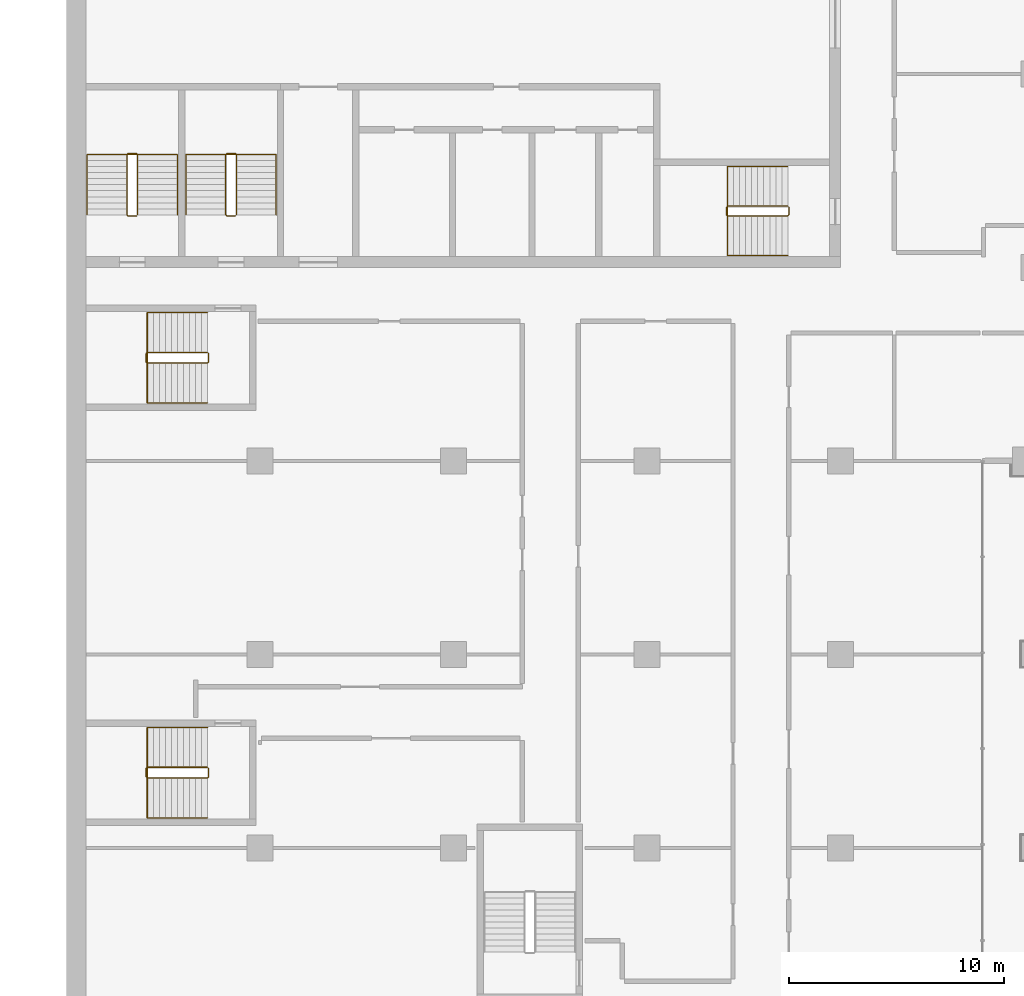
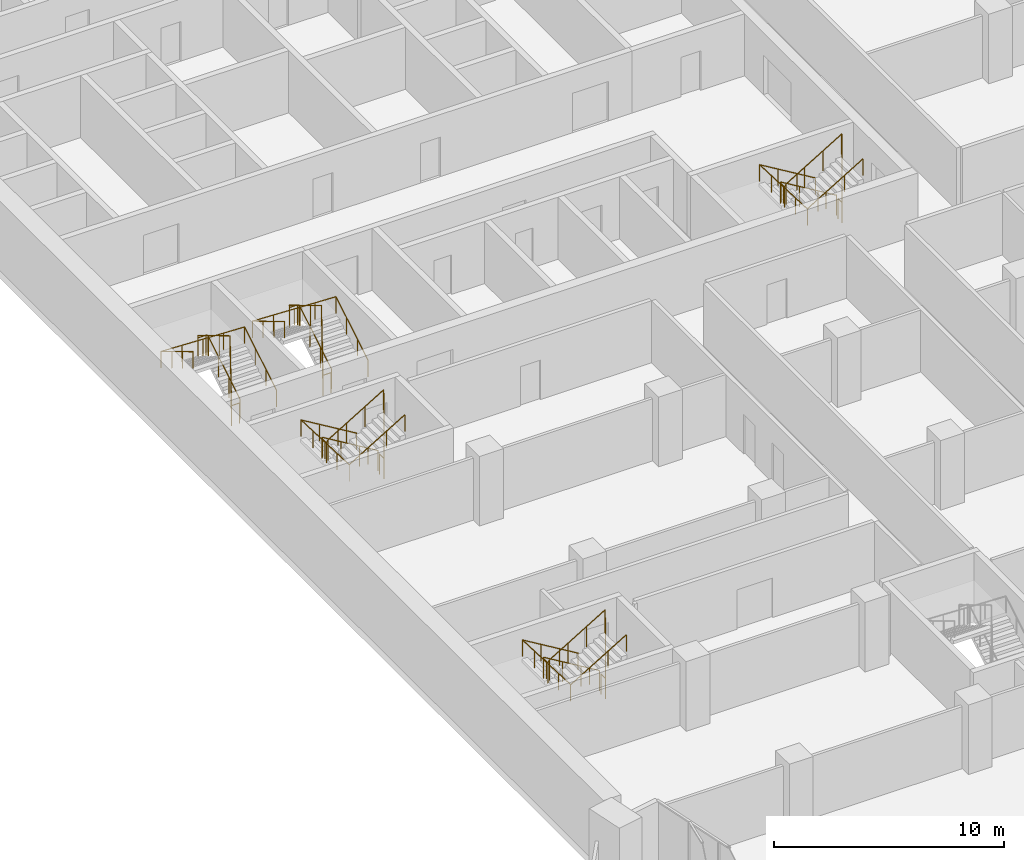
# One storey, part 21 of 23: 10 railings.
"""IFC4 building model written with IfcOpenShell, lengths in metres."""

from ifc_helpers import new_model, si_unit, direction, frame, origin, origin_2d, place, context, subcontext, project, spatial, circle, extrude, material, type_object, element, save


model = new_model("IFC4")

# Units and contexts
model_context = context("Model", 3, precision=1e-05, world=origin(), true_north=direction((0.0, 1.0)))
body_context = subcontext(model_context, "Body", "Model", "MODEL_VIEW")
ifc_project = project(units=[si_unit("LENGTHUNIT", "METRE"), si_unit("AREAUNIT", "SQUARE_METRE"), si_unit("VOLUMEUNIT", "CUBIC_METRE"), si_unit("PLANEANGLEUNIT", "RADIAN"), si_unit("MASSUNIT", "GRAM", prefix="KILO")], contexts=[model_context])

# Site, building, storey
site_placement = place(None, origin())
site = spatial("IfcSite", under=ifc_project, at=site_placement, CompositionType="ELEMENT")
building_placement = place(site_placement, origin())
building = spatial("IfcBuilding", under=site, at=building_placement, Name="Hunhe Ridgeline Campus", CompositionType="ELEMENT")
storey_placement = place(building_placement, frame((0.0, 0.0, 167.10009765625)))
storey = spatial("IfcBuildingStorey", under=building, at=storey_placement, Name="L42", CompositionType="ELEMENT", Elevation=167.10009765625)

# Railings
ifc_material_1 = material(Name="Stainless steel balustrade", Category="steel")
railing_type_1 = type_object("IfcRailingType", Name="Stair guard 1100 stainless", PredefinedType="GUARDRAIL", material=ifc_material_1)
railing_1_placement = place(storey_placement, frame((33.550048828125, 65.85009765625, 0.16796875)))
element("IfcRailing", 1, at=railing_1_placement, inside=storey, type_object=railing_type_1, Name="L42 stair S2 guard", PredefinedType="GUARDRAIL", context=body_context, shape_type="SweptSolid", body=[
    extrude(circle(Radius=0.02392578125, at=origin_2d()), frame((0.0, 0.0, 1.076171875), z_axis=(-0.857242210791, 0.0, 0.514913383045), x_axis=(0.0, -1.0, 0.0)), (0.0, 0.0, 1.0), 3.266357421875),
    extrude(circle(Radius=0.02392578125, at=origin_2d()), frame((-2.800048828125, 0.0, 2.7578125), z_axis=(-0.707106781187, -0.707106781187, 0.0), x_axis=(0.707106781187, -0.707106781187, 0.0)), (0.0, 0.0, 1.0), 0.07080078125),
    extrude(circle(Radius=0.02392578125, at=origin_2d()), frame((-2.85009765625, -0.050048828125, 2.7578125), z_axis=(0.0, -1.0, 0.0), x_axis=(1.0, 0.0, 0.0)), (0.0, 0.0, 1.0), 0.35009765625),
    extrude(circle(Radius=0.02392578125, at=origin_2d()), frame((-2.85009765625, -0.400146484375, 2.7578125), z_axis=(0.274243871929, -0.274243871929, 0.92172696468), x_axis=(0.707106781187, 0.707106781187, 0.0)), (0.0, 0.0, 1.0), 0.1826171875),
    extrude(circle(Radius=0.02392578125, at=origin_2d()), frame((-2.800048828125, -0.4501953125, 2.92626953125), z_axis=(0.857242210791, 0.0, 0.514913383045), x_axis=(0.0, 1.0, 0.0)), (0.0, 0.0, 1.0), 3.266357421875),
    extrude(circle(Radius=0.02392578125, at=origin_2d()), frame((0.0, -0.4501953125, 4.60791015625), z_axis=(0.013524414389, 0.013524414389, -0.999817073484), x_axis=(-0.707106781187, 0.707106781187, 0.0)), (0.0, 0.0, 1.0), 3.70068359375),
    extrude(circle(Radius=0.02392578125, at=origin_2d()), frame((0.050048828125, -0.400146484375, 0.908203125), z_axis=(0.0, 1.0, 0.0), x_axis=(-1.0, 0.0, 0.0)), (0.0, 0.0, 1.0), 0.35009765625),
    extrude(circle(Radius=0.02099609375, at=origin_2d()), origin(), (0.0, 0.0, 1.0), 1.052001953125),
    extrude(circle(Radius=0.02099609375, at=origin_2d()), frame((-0.933349609375, 0.0, 0.560546875)), (0.0, 0.0, 1.0), 1.052001953125),
    extrude(circle(Radius=0.02099609375, at=origin_2d()), frame((-1.86669921875, 0.0, 1.121337890625)), (0.0, 0.0, 1.0), 1.052001953125),
    extrude(circle(Radius=0.02099609375, at=origin_2d()), frame((-2.800048828125, 0.0, 1.681884765625)), (0.0, 0.0, 1.0), 1.052001953125),
    extrude(circle(Radius=0.02099609375, at=origin_2d()), frame((-2.85009765625, -0.050048828125, 1.681884765625)), (0.0, 0.0, 1.0), 1.052001953125),
    extrude(circle(Radius=0.02099609375, at=origin_2d()), frame((-2.85009765625, -0.400146484375, 1.681884765625)), (0.0, 0.0, 1.0), 1.052001953125),
    extrude(circle(Radius=0.02099609375, at=origin_2d()), frame((-2.800048828125, -0.4501953125, 1.85009765625)), (0.0, 0.0, 1.0), 1.052001953125),
    extrude(circle(Radius=0.02099609375, at=origin_2d()), frame((-1.86669921875, -0.4501953125, 2.41064453125)), (0.0, 0.0, 1.0), 1.052001953125),
    extrude(circle(Radius=0.02099609375, at=origin_2d()), frame((-0.933349609375, -0.4501953125, 2.971435546875)), (0.0, 0.0, 1.0), 1.052001953125),
    extrude(circle(Radius=0.02099609375, at=origin_2d()), frame((0.0, -0.4501953125, 3.531982421875)), (0.0, 0.0, 1.0), 1.052001953125),
    extrude(circle(Radius=0.02099609375, at=origin_2d()), frame((0.012451171875, -0.437744140625, 2.60693359375)), (0.0, 0.0, 1.0), 1.052001953125),
    extrude(circle(Radius=0.02099609375, at=origin_2d()), frame((0.02490234375, -0.42529296875, 1.68212890625)), (0.0, 0.0, 1.0), 1.052001953125),
    extrude(circle(Radius=0.02099609375, at=origin_2d()), frame((0.03759765625, -0.41259765625, 0.757080078125)), (0.0, 0.0, 1.0), 1.052001953125),
    extrude(circle(Radius=0.02099609375, at=origin_2d()), frame((0.050048828125, -0.400146484375, -0.16796875)), (0.0, 0.0, 1.0), 1.052001953125),
    extrude(circle(Radius=0.02099609375, at=origin_2d()), frame((0.050048828125, -0.050048828125, -0.16796875)), (0.0, 0.0, 1.0), 1.052001953125),
])
railing_2_placement = place(storey_placement, frame((3.300048828125, 65.449951171875, 0.16796875)))
element("IfcRailing", 2, at=railing_2_placement, inside=storey, type_object=railing_type_1, Name="L42 stair S3 guard", PredefinedType="GUARDRAIL", context=body_context, shape_type="SweptSolid", body=[
    extrude(circle(Radius=0.02392578125, at=origin_2d()), frame((0.0, 0.0, 1.076171875), z_axis=(0.0, 0.857242210791, 0.514913383045), x_axis=(-1.0, 0.0, 0.0)), (0.0, 0.0, 1.0), 3.266357421875),
    extrude(circle(Radius=0.02392578125, at=origin_2d()), frame((0.0, 2.800048828125, 2.7578125), z_axis=(-0.707106781187, 0.707106781187, 0.0), x_axis=(-0.707106781187, -0.707106781187, 0.0)), (0.0, 0.0, 1.0), 0.07080078125),
    extrude(circle(Radius=0.02392578125, at=origin_2d()), frame((-0.050048828125, 2.85009765625, 2.7578125), z_axis=(-1.0, 0.0, 0.0), x_axis=(0.0, -1.0, 0.0)), (0.0, 0.0, 1.0), 0.39990234375),
    extrude(circle(Radius=0.02392578125, at=origin_2d()), frame((-0.449951171875, 2.85009765625, 2.7578125), z_axis=(-0.274243871929, -0.274243871929, 0.92172696468), x_axis=(0.707106781187, -0.707106781187, 0.0)), (0.0, 0.0, 1.0), 0.1826171875),
    extrude(circle(Radius=0.02392578125, at=origin_2d()), frame((-0.5, 2.800048828125, 2.92626953125), z_axis=(0.0, -0.857242210791, 0.514913383045), x_axis=(1.0, 0.0, 0.0)), (0.0, 0.0, 1.0), 3.266357421875),
    extrude(circle(Radius=0.02392578125, at=origin_2d()), frame((-0.5, 0.0, 4.60791015625), z_axis=(0.013524414389, -0.013524414389, -0.999817073484), x_axis=(0.707106781187, 0.707106781187, 0.0)), (0.0, 0.0, 1.0), 3.70068359375),
    extrude(circle(Radius=0.02392578125, at=origin_2d()), frame((-0.449951171875, -0.050048828125, 0.908203125), z_axis=(1.0, 0.0, 0.0), x_axis=(0.0, 1.0, 0.0)), (0.0, 0.0, 1.0), 0.39990234375),
    extrude(circle(Radius=0.02099609375, at=origin_2d()), origin(), (0.0, 0.0, 1.0), 1.052001953125),
    extrude(circle(Radius=0.02099609375, at=origin_2d()), frame((0.0, 0.933349609375, 0.560546875)), (0.0, 0.0, 1.0), 1.052001953125),
    extrude(circle(Radius=0.02099609375, at=origin_2d()), frame((0.0, 1.86669921875, 1.121337890625)), (0.0, 0.0, 1.0), 1.052001953125),
    extrude(circle(Radius=0.02099609375, at=origin_2d()), frame((0.0, 2.800048828125, 1.681884765625)), (0.0, 0.0, 1.0), 1.052001953125),
    extrude(circle(Radius=0.02099609375, at=origin_2d()), frame((-0.050048828125, 2.85009765625, 1.681884765625)), (0.0, 0.0, 1.0), 1.052001953125),
    extrude(circle(Radius=0.02099609375, at=origin_2d()), frame((-0.449951171875, 2.85009765625, 1.681884765625)), (0.0, 0.0, 1.0), 1.052001953125),
    extrude(circle(Radius=0.02099609375, at=origin_2d()), frame((-0.5, 2.800048828125, 1.85009765625)), (0.0, 0.0, 1.0), 1.052001953125),
    extrude(circle(Radius=0.02099609375, at=origin_2d()), frame((-0.5, 1.86669921875, 2.41064453125)), (0.0, 0.0, 1.0), 1.052001953125),
    extrude(circle(Radius=0.02099609375, at=origin_2d()), frame((-0.5, 0.933349609375, 2.971435546875)), (0.0, 0.0, 1.0), 1.052001953125),
    extrude(circle(Radius=0.02099609375, at=origin_2d()), frame((-0.5, 0.0, 3.531982421875)), (0.0, 0.0, 1.0), 1.052001953125),
    extrude(circle(Radius=0.02099609375, at=origin_2d()), frame((-0.487548828125, -0.012451171875, 2.60693359375)), (0.0, 0.0, 1.0), 1.052001953125),
    extrude(circle(Radius=0.02099609375, at=origin_2d()), frame((-0.47509765625, -0.02490234375, 1.68212890625)), (0.0, 0.0, 1.0), 1.052001953125),
    extrude(circle(Radius=0.02099609375, at=origin_2d()), frame((-0.46240234375, -0.03759765625, 0.757080078125)), (0.0, 0.0, 1.0), 1.052001953125),
    extrude(circle(Radius=0.02099609375, at=origin_2d()), frame((-0.449951171875, -0.050048828125, -0.16796875)), (0.0, 0.0, 1.0), 1.052001953125),
    extrude(circle(Radius=0.02099609375, at=origin_2d()), frame((-0.050048828125, -0.050048828125, -0.16796875)), (0.0, 0.0, 1.0), 1.052001953125),
])
railing_3_placement = place(storey_placement, frame((7.89990234375, 65.449951171875, 0.16796875)))
element("IfcRailing", 3, at=railing_3_placement, inside=storey, type_object=railing_type_1, Name="L42 stair S4 guard", PredefinedType="GUARDRAIL", context=body_context, shape_type="SweptSolid", body=[
    extrude(circle(Radius=0.02392578125, at=origin_2d()), frame((0.0, 0.0, 1.076171875), z_axis=(0.0, 0.857242210791, 0.514913383045), x_axis=(-1.0, 0.0, 0.0)), (0.0, 0.0, 1.0), 3.266357421875),
    extrude(circle(Radius=0.02392578125, at=origin_2d()), frame((0.0, 2.800048828125, 2.7578125), z_axis=(-0.705375805398, 0.708833529934, 0.0), x_axis=(-0.708833529934, -0.705375805398, 0.0)), (0.0, 0.0, 1.0), 0.070556640625),
    extrude(circle(Radius=0.02392578125, at=origin_2d()), frame((-0.0498046875, 2.85009765625, 2.7578125), z_axis=(-1.0, 0.0, 0.0), x_axis=(0.0, -1.0, 0.0)), (0.0, 0.0, 1.0), 0.400146484375),
    extrude(circle(Radius=0.02392578125, at=origin_2d()), frame((-0.449951171875, 2.85009765625, 2.7578125), z_axis=(-0.274243871929, -0.274243871929, 0.92172696468), x_axis=(0.707106781187, -0.707106781187, 0.0)), (0.0, 0.0, 1.0), 0.1826171875),
    extrude(circle(Radius=0.02392578125, at=origin_2d()), frame((-0.5, 2.800048828125, 2.92626953125), z_axis=(0.0, -0.857242210791, 0.514913383045), x_axis=(1.0, 0.0, 0.0)), (0.0, 0.0, 1.0), 3.266357421875),
    extrude(circle(Radius=0.02392578125, at=origin_2d()), frame((-0.5, 0.0, 4.60791015625), z_axis=(0.013524414389, -0.013524414389, -0.999817073484), x_axis=(0.707106781187, 0.707106781187, 0.0)), (0.0, 0.0, 1.0), 3.70068359375),
    extrude(circle(Radius=0.02392578125, at=origin_2d()), frame((-0.449951171875, -0.050048828125, 0.908203125), z_axis=(1.0, 0.0, 0.0), x_axis=(0.0, 1.0, 0.0)), (0.0, 0.0, 1.0), 0.400146484375),
    extrude(circle(Radius=0.02099609375, at=origin_2d()), origin(), (0.0, 0.0, 1.0), 1.052001953125),
    extrude(circle(Radius=0.02099609375, at=origin_2d()), frame((0.0, 0.933349609375, 0.560546875)), (0.0, 0.0, 1.0), 1.052001953125),
    extrude(circle(Radius=0.02099609375, at=origin_2d()), frame((0.0, 1.86669921875, 1.121337890625)), (0.0, 0.0, 1.0), 1.052001953125),
    extrude(circle(Radius=0.02099609375, at=origin_2d()), frame((0.0, 2.800048828125, 1.681884765625)), (0.0, 0.0, 1.0), 1.052001953125),
    extrude(circle(Radius=0.02099609375, at=origin_2d()), frame((-0.0498046875, 2.85009765625, 1.681884765625)), (0.0, 0.0, 1.0), 1.052001953125),
    extrude(circle(Radius=0.02099609375, at=origin_2d()), frame((-0.449951171875, 2.85009765625, 1.681884765625)), (0.0, 0.0, 1.0), 1.052001953125),
    extrude(circle(Radius=0.02099609375, at=origin_2d()), frame((-0.5, 2.800048828125, 1.85009765625)), (0.0, 0.0, 1.0), 1.052001953125),
    extrude(circle(Radius=0.02099609375, at=origin_2d()), frame((-0.5, 1.86669921875, 2.41064453125)), (0.0, 0.0, 1.0), 1.052001953125),
    extrude(circle(Radius=0.02099609375, at=origin_2d()), frame((-0.5, 0.933349609375, 2.971435546875)), (0.0, 0.0, 1.0), 1.052001953125),
    extrude(circle(Radius=0.02099609375, at=origin_2d()), frame((-0.5, 0.0, 3.531982421875)), (0.0, 0.0, 1.0), 1.052001953125),
    extrude(circle(Radius=0.02099609375, at=origin_2d()), frame((-0.487548828125, -0.012451171875, 2.60693359375)), (0.0, 0.0, 1.0), 1.052001953125),
    extrude(circle(Radius=0.02099609375, at=origin_2d()), frame((-0.47509765625, -0.02490234375, 1.68212890625)), (0.0, 0.0, 1.0), 1.052001953125),
    extrude(circle(Radius=0.02099609375, at=origin_2d()), frame((-0.46240234375, -0.03759765625, 0.757080078125)), (0.0, 0.0, 1.0), 1.052001953125),
    extrude(circle(Radius=0.02099609375, at=origin_2d()), frame((-0.449951171875, -0.050048828125, -0.16796875)), (0.0, 0.0, 1.0), 1.052001953125),
    extrude(circle(Radius=0.02099609375, at=origin_2d()), frame((-0.0498046875, -0.050048828125, -0.16796875)), (0.0, 0.0, 1.0), 1.052001953125),
])
railing_4_placement = place(storey_placement, frame((6.550048828125, 39.75, 0.16796875)))
element("IfcRailing", 4, at=railing_4_placement, inside=storey, type_object=railing_type_1, Name="L42 stair W1 guard", PredefinedType="GUARDRAIL", context=body_context, shape_type="SweptSolid", body=[
    extrude(circle(Radius=0.02392578125, at=origin_2d()), frame((0.0, 0.0, 1.076171875), z_axis=(-0.857242210791, 0.0, 0.514913383045), x_axis=(0.0, -1.0, 0.0)), (0.0, 0.0, 1.0), 3.266357421875),
    extrude(circle(Radius=0.02392578125, at=origin_2d()), frame((-2.800048828125, 0.0, 2.7578125), z_axis=(-0.707106781187, -0.707106781187, 0.0), x_axis=(0.707106781187, -0.707106781187, 0.0)), (0.0, 0.0, 1.0), 0.07080078125),
    extrude(circle(Radius=0.02392578125, at=origin_2d()), frame((-2.85009765625, -0.050048828125, 2.7578125), z_axis=(0.0, -1.0, 0.0), x_axis=(1.0, 0.0, 0.0)), (0.0, 0.0, 1.0), 0.39990234375),
    extrude(circle(Radius=0.02392578125, at=origin_2d()), frame((-2.85009765625, -0.449951171875, 2.7578125), z_axis=(0.274243871929, -0.274243871929, 0.92172696468), x_axis=(0.707106781187, 0.707106781187, 0.0)), (0.0, 0.0, 1.0), 0.1826171875),
    extrude(circle(Radius=0.02392578125, at=origin_2d()), frame((-2.800048828125, -0.5, 2.92626953125), z_axis=(0.857242210791, 0.0, 0.514913383045), x_axis=(0.0, 1.0, 0.0)), (0.0, 0.0, 1.0), 3.266357421875),
    extrude(circle(Radius=0.02392578125, at=origin_2d()), frame((0.0, -0.5, 4.60791015625), z_axis=(0.013524414389, 0.013524414389, -0.999817073484), x_axis=(-0.707106781187, 0.707106781187, 0.0)), (0.0, 0.0, 1.0), 3.70068359375),
    extrude(circle(Radius=0.02392578125, at=origin_2d()), frame((0.050048828125, -0.449951171875, 0.908203125), z_axis=(0.0, 1.0, 0.0), x_axis=(-1.0, 0.0, 0.0)), (0.0, 0.0, 1.0), 0.39990234375),
    extrude(circle(Radius=0.02099609375, at=origin_2d()), origin(), (0.0, 0.0, 1.0), 1.052001953125),
    extrude(circle(Radius=0.02099609375, at=origin_2d()), frame((-0.933349609375, 0.0, 0.560546875)), (0.0, 0.0, 1.0), 1.052001953125),
    extrude(circle(Radius=0.02099609375, at=origin_2d()), frame((-1.86669921875, 0.0, 1.121337890625)), (0.0, 0.0, 1.0), 1.052001953125),
    extrude(circle(Radius=0.02099609375, at=origin_2d()), frame((-2.800048828125, 0.0, 1.681884765625)), (0.0, 0.0, 1.0), 1.052001953125),
    extrude(circle(Radius=0.02099609375, at=origin_2d()), frame((-2.85009765625, -0.050048828125, 1.681884765625)), (0.0, 0.0, 1.0), 1.052001953125),
    extrude(circle(Radius=0.02099609375, at=origin_2d()), frame((-2.85009765625, -0.449951171875, 1.681884765625)), (0.0, 0.0, 1.0), 1.052001953125),
    extrude(circle(Radius=0.02099609375, at=origin_2d()), frame((-2.800048828125, -0.5, 1.85009765625)), (0.0, 0.0, 1.0), 1.052001953125),
    extrude(circle(Radius=0.02099609375, at=origin_2d()), frame((-1.86669921875, -0.5, 2.41064453125)), (0.0, 0.0, 1.0), 1.052001953125),
    extrude(circle(Radius=0.02099609375, at=origin_2d()), frame((-0.933349609375, -0.5, 2.971435546875)), (0.0, 0.0, 1.0), 1.052001953125),
    extrude(circle(Radius=0.02099609375, at=origin_2d()), frame((0.0, -0.5, 3.531982421875)), (0.0, 0.0, 1.0), 1.052001953125),
    extrude(circle(Radius=0.02099609375, at=origin_2d()), frame((0.012451171875, -0.487548828125, 2.60693359375)), (0.0, 0.0, 1.0), 1.052001953125),
    extrude(circle(Radius=0.02099609375, at=origin_2d()), frame((0.02490234375, -0.47509765625, 1.68212890625)), (0.0, 0.0, 1.0), 1.052001953125),
    extrude(circle(Radius=0.02099609375, at=origin_2d()), frame((0.03759765625, -0.46240234375, 0.757080078125)), (0.0, 0.0, 1.0), 1.052001953125),
    extrude(circle(Radius=0.02099609375, at=origin_2d()), frame((0.050048828125, -0.449951171875, -0.16796875)), (0.0, 0.0, 1.0), 1.052001953125),
    extrude(circle(Radius=0.02099609375, at=origin_2d()), frame((0.050048828125, -0.050048828125, -0.16796875)), (0.0, 0.0, 1.0), 1.052001953125),
])
railing_5_placement = place(storey_placement, frame((6.550048828125, 59.050048828125, 0.16796875)))
element("IfcRailing", 5, at=railing_5_placement, inside=storey, type_object=railing_type_1, Name="L42 stair W2 guard", PredefinedType="GUARDRAIL", context=body_context, shape_type="SweptSolid", body=[
    extrude(circle(Radius=0.02392578125, at=origin_2d()), frame((0.0, 0.0, 1.076171875), z_axis=(-0.857242210791, 0.0, 0.514913383045), x_axis=(0.0, -1.0, 0.0)), (0.0, 0.0, 1.0), 3.266357421875),
    extrude(circle(Radius=0.02392578125, at=origin_2d()), frame((-2.800048828125, 0.0, 2.7578125), z_axis=(-0.707106781187, -0.707106781187, 0.0), x_axis=(0.707106781187, -0.707106781187, 0.0)), (0.0, 0.0, 1.0), 0.07080078125),
    extrude(circle(Radius=0.02392578125, at=origin_2d()), frame((-2.85009765625, -0.050048828125, 2.7578125), z_axis=(0.0, -1.0, 0.0), x_axis=(1.0, 0.0, 0.0)), (0.0, 0.0, 1.0), 0.39990234375),
    extrude(circle(Radius=0.02392578125, at=origin_2d()), frame((-2.85009765625, -0.449951171875, 2.7578125), z_axis=(0.274243871929, -0.274243871929, 0.92172696468), x_axis=(0.707106781187, 0.707106781187, 0.0)), (0.0, 0.0, 1.0), 0.1826171875),
    extrude(circle(Radius=0.02392578125, at=origin_2d()), frame((-2.800048828125, -0.5, 2.92626953125), z_axis=(0.857242210791, 0.0, 0.514913383045), x_axis=(0.0, 1.0, 0.0)), (0.0, 0.0, 1.0), 3.266357421875),
    extrude(circle(Radius=0.02392578125, at=origin_2d()), frame((0.0, -0.5, 4.60791015625), z_axis=(0.013524414389, 0.013524414389, -0.999817073484), x_axis=(-0.707106781187, 0.707106781187, 0.0)), (0.0, 0.0, 1.0), 3.70068359375),
    extrude(circle(Radius=0.02392578125, at=origin_2d()), frame((0.050048828125, -0.449951171875, 0.908203125), z_axis=(0.0, 1.0, 0.0), x_axis=(-1.0, 0.0, 0.0)), (0.0, 0.0, 1.0), 0.39990234375),
    extrude(circle(Radius=0.02099609375, at=origin_2d()), origin(), (0.0, 0.0, 1.0), 1.052001953125),
    extrude(circle(Radius=0.02099609375, at=origin_2d()), frame((-0.933349609375, 0.0, 0.560546875)), (0.0, 0.0, 1.0), 1.052001953125),
    extrude(circle(Radius=0.02099609375, at=origin_2d()), frame((-1.86669921875, 0.0, 1.121337890625)), (0.0, 0.0, 1.0), 1.052001953125),
    extrude(circle(Radius=0.02099609375, at=origin_2d()), frame((-2.800048828125, 0.0, 1.681884765625)), (0.0, 0.0, 1.0), 1.052001953125),
    extrude(circle(Radius=0.02099609375, at=origin_2d()), frame((-2.85009765625, -0.050048828125, 1.681884765625)), (0.0, 0.0, 1.0), 1.052001953125),
    extrude(circle(Radius=0.02099609375, at=origin_2d()), frame((-2.85009765625, -0.449951171875, 1.681884765625)), (0.0, 0.0, 1.0), 1.052001953125),
    extrude(circle(Radius=0.02099609375, at=origin_2d()), frame((-2.800048828125, -0.5, 1.85009765625)), (0.0, 0.0, 1.0), 1.052001953125),
    extrude(circle(Radius=0.02099609375, at=origin_2d()), frame((-1.86669921875, -0.5, 2.41064453125)), (0.0, 0.0, 1.0), 1.052001953125),
    extrude(circle(Radius=0.02099609375, at=origin_2d()), frame((-0.933349609375, -0.5, 2.971435546875)), (0.0, 0.0, 1.0), 1.052001953125),
    extrude(circle(Radius=0.02099609375, at=origin_2d()), frame((0.0, -0.5, 3.531982421875)), (0.0, 0.0, 1.0), 1.052001953125),
    extrude(circle(Radius=0.02099609375, at=origin_2d()), frame((0.012451171875, -0.487548828125, 2.60693359375)), (0.0, 0.0, 1.0), 1.052001953125),
    extrude(circle(Radius=0.02099609375, at=origin_2d()), frame((0.02490234375, -0.47509765625, 1.68212890625)), (0.0, 0.0, 1.0), 1.052001953125),
    extrude(circle(Radius=0.02099609375, at=origin_2d()), frame((0.03759765625, -0.46240234375, 0.757080078125)), (0.0, 0.0, 1.0), 1.052001953125),
    extrude(circle(Radius=0.02099609375, at=origin_2d()), frame((0.050048828125, -0.449951171875, -0.16796875)), (0.0, 0.0, 1.0), 1.052001953125),
    extrude(circle(Radius=0.02099609375, at=origin_2d()), frame((0.050048828125, -0.050048828125, -0.16796875)), (0.0, 0.0, 1.0), 1.052001953125),
])
ifc_material_2 = material(Name="Stainless steel handrail", Category="steel")
railing_type_2 = type_object("IfcRailingType", Name="Stair handrail 900 stainless", PredefinedType="HANDRAIL", material=ifc_material_2)
railing_6_placement = place(storey_placement, frame((33.550048828125, 67.699951171875, 0.16796875)))
element("IfcRailing", 6, at=railing_6_placement, inside=storey, type_object=railing_type_2, Name="L42 stair S2 handrail", PredefinedType="HANDRAIL", context=body_context, shape_type="SweptSolid", body=[
    extrude(circle(Radius=0.02392578125, at=origin_2d()), frame((0.0, 0.0, 0.8759765625), z_axis=(-0.857242210791, 0.0, 0.514913383045), x_axis=(0.0, -1.0, 0.0)), (0.0, 0.0, 1.0), 3.266357421875),
    extrude(circle(Radius=0.02392578125, at=origin_2d()), frame((-2.800048828125, 0.0, 2.5576171875), z_axis=(0.0, -0.99917950104, 0.040500922239), x_axis=(1.0, 0.0, 0.0)), (0.0, 0.0, 1.0), 4.1533203125),
    extrude(circle(Radius=0.02392578125, at=origin_2d()), frame((-2.800048828125, -4.14990234375, 2.72607421875), z_axis=(0.857242210791, 0.0, 0.514913383045), x_axis=(0.0, 1.0, 0.0)), (0.0, 0.0, 1.0), 3.266357421875),
    extrude(circle(Radius=0.02099609375, at=origin_2d()), origin(), (0.0, 0.0, 1.0), 0.851806640625),
    extrude(circle(Radius=0.02099609375, at=origin_2d()), frame((-0.933349609375, 0.0, 0.560546875)), (0.0, 0.0, 1.0), 0.851806640625),
    extrude(circle(Radius=0.02099609375, at=origin_2d()), frame((-1.86669921875, 0.0, 1.121337890625)), (0.0, 0.0, 1.0), 0.851806640625),
    extrude(circle(Radius=0.02099609375, at=origin_2d()), frame((-2.800048828125, 0.0, 1.681884765625)), (0.0, 0.0, 1.0), 0.851806640625),
    extrude(circle(Radius=0.02099609375, at=origin_2d()), frame((-2.800048828125, -1.03759765625, 1.723876953125)), (0.0, 0.0, 1.0), 0.851806640625),
    extrude(circle(Radius=0.02099609375, at=origin_2d()), frame((-2.800048828125, -2.074951171875, 1.76611328125)), (0.0, 0.0, 1.0), 0.851806640625),
    extrude(circle(Radius=0.02099609375, at=origin_2d()), frame((-2.800048828125, -3.1123046875, 1.80810546875)), (0.0, 0.0, 1.0), 0.851806640625),
    extrude(circle(Radius=0.02099609375, at=origin_2d()), frame((-2.800048828125, -4.14990234375, 1.85009765625)), (0.0, 0.0, 1.0), 0.851806640625),
    extrude(circle(Radius=0.02099609375, at=origin_2d()), frame((-1.86669921875, -4.14990234375, 2.41064453125)), (0.0, 0.0, 1.0), 0.851806640625),
    extrude(circle(Radius=0.02099609375, at=origin_2d()), frame((-0.933349609375, -4.14990234375, 2.971435546875)), (0.0, 0.0, 1.0), 0.851806640625),
    extrude(circle(Radius=0.02099609375, at=origin_2d()), frame((0.0, -4.14990234375, 3.531982421875)), (0.0, 0.0, 1.0), 0.851806640625),
])
railing_7_placement = place(storey_placement, frame((5.14990234375, 65.449951171875, 0.16796875)))
element("IfcRailing", 7, at=railing_7_placement, inside=storey, type_object=railing_type_2, Name="L42 stair S3 handrail", PredefinedType="HANDRAIL", context=body_context, shape_type="SweptSolid", body=[
    extrude(circle(Radius=0.02392578125, at=origin_2d()), frame((0.0, 0.0, 0.8759765625), z_axis=(0.0, 0.857242210791, 0.514913383045), x_axis=(-1.0, 0.0, 0.0)), (0.0, 0.0, 1.0), 3.266357421875),
    extrude(circle(Radius=0.02392578125, at=origin_2d()), frame((0.0, 2.800048828125, 2.5576171875), z_axis=(-0.999198916169, 0.0, 0.040019069537), x_axis=(0.0, -1.0, 0.0)), (0.0, 0.0, 1.0), 4.203369140625),
    extrude(circle(Radius=0.02392578125, at=origin_2d()), frame((-4.199951171875, 2.800048828125, 2.72607421875), z_axis=(0.0, -0.857242210791, 0.514913383045), x_axis=(1.0, 0.0, 0.0)), (0.0, 0.0, 1.0), 3.266357421875),
    extrude(circle(Radius=0.02099609375, at=origin_2d()), origin(), (0.0, 0.0, 1.0), 0.851806640625),
    extrude(circle(Radius=0.02099609375, at=origin_2d()), frame((0.0, 0.933349609375, 0.560546875)), (0.0, 0.0, 1.0), 0.851806640625),
    extrude(circle(Radius=0.02099609375, at=origin_2d()), frame((0.0, 1.86669921875, 1.121337890625)), (0.0, 0.0, 1.0), 0.851806640625),
    extrude(circle(Radius=0.02099609375, at=origin_2d()), frame((0.0, 2.800048828125, 1.681884765625)), (0.0, 0.0, 1.0), 0.851806640625),
    extrude(circle(Radius=0.02099609375, at=origin_2d()), frame((-1.050048828125, 2.800048828125, 1.723876953125)), (0.0, 0.0, 1.0), 0.851806640625),
    extrude(circle(Radius=0.02099609375, at=origin_2d()), frame((-2.10009765625, 2.800048828125, 1.76611328125)), (0.0, 0.0, 1.0), 0.851806640625),
    extrude(circle(Radius=0.02099609375, at=origin_2d()), frame((-3.14990234375, 2.800048828125, 1.80810546875)), (0.0, 0.0, 1.0), 0.851806640625),
    extrude(circle(Radius=0.02099609375, at=origin_2d()), frame((-4.199951171875, 2.800048828125, 1.85009765625)), (0.0, 0.0, 1.0), 0.851806640625),
    extrude(circle(Radius=0.02099609375, at=origin_2d()), frame((-4.199951171875, 1.86669921875, 2.41064453125)), (0.0, 0.0, 1.0), 0.851806640625),
    extrude(circle(Radius=0.02099609375, at=origin_2d()), frame((-4.199951171875, 0.933349609375, 2.971435546875)), (0.0, 0.0, 1.0), 0.851806640625),
    extrude(circle(Radius=0.02099609375, at=origin_2d()), frame((-4.199951171875, 0.0, 3.531982421875)), (0.0, 0.0, 1.0), 0.851806640625),
])
railing_8_placement = place(storey_placement, frame((9.75, 65.449951171875, 0.16796875)))
element("IfcRailing", 8, at=railing_8_placement, inside=storey, type_object=railing_type_2, Name="L42 stair S4 handrail", PredefinedType="HANDRAIL", context=body_context, shape_type="SweptSolid", body=[
    extrude(circle(Radius=0.02392578125, at=origin_2d()), frame((0.0, 0.0, 0.8759765625), z_axis=(0.0, 0.857242210791, 0.514913383045), x_axis=(-1.0, 0.0, 0.0)), (0.0, 0.0, 1.0), 3.266357421875),
    extrude(circle(Radius=0.02392578125, at=origin_2d()), frame((0.0, 2.800048828125, 2.5576171875), z_axis=(-0.999198916169, 0.0, 0.040019069537), x_axis=(0.0, -1.0, 0.0)), (0.0, 0.0, 1.0), 4.203369140625),
    extrude(circle(Radius=0.02392578125, at=origin_2d()), frame((-4.199951171875, 2.800048828125, 2.72607421875), z_axis=(0.0, -0.857242210791, 0.514913383045), x_axis=(1.0, 0.0, 0.0)), (0.0, 0.0, 1.0), 3.266357421875),
    extrude(circle(Radius=0.02099609375, at=origin_2d()), origin(), (0.0, 0.0, 1.0), 0.851806640625),
    extrude(circle(Radius=0.02099609375, at=origin_2d()), frame((0.0, 0.933349609375, 0.560546875)), (0.0, 0.0, 1.0), 0.851806640625),
    extrude(circle(Radius=0.02099609375, at=origin_2d()), frame((0.0, 1.86669921875, 1.121337890625)), (0.0, 0.0, 1.0), 0.851806640625),
    extrude(circle(Radius=0.02099609375, at=origin_2d()), frame((0.0, 2.800048828125, 1.681884765625)), (0.0, 0.0, 1.0), 0.851806640625),
    extrude(circle(Radius=0.02099609375, at=origin_2d()), frame((-1.050048828125, 2.800048828125, 1.723876953125)), (0.0, 0.0, 1.0), 0.851806640625),
    extrude(circle(Radius=0.02099609375, at=origin_2d()), frame((-2.10009765625, 2.800048828125, 1.76611328125)), (0.0, 0.0, 1.0), 0.851806640625),
    extrude(circle(Radius=0.02099609375, at=origin_2d()), frame((-3.14990234375, 2.800048828125, 1.80810546875)), (0.0, 0.0, 1.0), 0.851806640625),
    extrude(circle(Radius=0.02099609375, at=origin_2d()), frame((-4.199951171875, 2.800048828125, 1.85009765625)), (0.0, 0.0, 1.0), 0.851806640625),
    extrude(circle(Radius=0.02099609375, at=origin_2d()), frame((-4.199951171875, 1.86669921875, 2.41064453125)), (0.0, 0.0, 1.0), 0.851806640625),
    extrude(circle(Radius=0.02099609375, at=origin_2d()), frame((-4.199951171875, 0.933349609375, 2.971435546875)), (0.0, 0.0, 1.0), 0.851806640625),
    extrude(circle(Radius=0.02099609375, at=origin_2d()), frame((-4.199951171875, 0.0, 3.531982421875)), (0.0, 0.0, 1.0), 0.851806640625),
])
railing_9_placement = place(storey_placement, frame((6.550048828125, 41.60009765625, 0.16796875)))
element("IfcRailing", 9, at=railing_9_placement, inside=storey, type_object=railing_type_2, Name="L42 stair W1 handrail", PredefinedType="HANDRAIL", context=body_context, shape_type="SweptSolid", body=[
    extrude(circle(Radius=0.02392578125, at=origin_2d()), frame((0.0, 0.0, 0.8759765625), z_axis=(-0.857242210791, 0.0, 0.514913383045), x_axis=(0.0, -1.0, 0.0)), (0.0, 0.0, 1.0), 3.266357421875),
    extrude(circle(Radius=0.02392578125, at=origin_2d()), frame((-2.800048828125, 0.0, 2.5576171875), z_axis=(0.0, -0.999199009182, 0.040016747113), x_axis=(1.0, 0.0, 0.0)), (0.0, 0.0, 1.0), 4.20361328125),
    extrude(circle(Radius=0.02392578125, at=origin_2d()), frame((-2.800048828125, -4.2001953125, 2.72607421875), z_axis=(0.857242210791, 0.0, 0.514913383045), x_axis=(0.0, 1.0, 0.0)), (0.0, 0.0, 1.0), 3.266357421875),
    extrude(circle(Radius=0.02099609375, at=origin_2d()), origin(), (0.0, 0.0, 1.0), 0.851806640625),
    extrude(circle(Radius=0.02099609375, at=origin_2d()), frame((-0.933349609375, 0.0, 0.560546875)), (0.0, 0.0, 1.0), 0.851806640625),
    extrude(circle(Radius=0.02099609375, at=origin_2d()), frame((-1.86669921875, 0.0, 1.121337890625)), (0.0, 0.0, 1.0), 0.851806640625),
    extrude(circle(Radius=0.02099609375, at=origin_2d()), frame((-2.800048828125, 0.0, 1.681884765625)), (0.0, 0.0, 1.0), 0.851806640625),
    extrude(circle(Radius=0.02099609375, at=origin_2d()), frame((-2.800048828125, -1.050048828125, 1.723876953125)), (0.0, 0.0, 1.0), 0.851806640625),
    extrude(circle(Radius=0.02099609375, at=origin_2d()), frame((-2.800048828125, -2.10009765625, 1.76611328125)), (0.0, 0.0, 1.0), 0.851806640625),
    extrude(circle(Radius=0.02099609375, at=origin_2d()), frame((-2.800048828125, -3.150146484375, 1.80810546875)), (0.0, 0.0, 1.0), 0.851806640625),
    extrude(circle(Radius=0.02099609375, at=origin_2d()), frame((-2.800048828125, -4.2001953125, 1.85009765625)), (0.0, 0.0, 1.0), 0.851806640625),
    extrude(circle(Radius=0.02099609375, at=origin_2d()), frame((-1.86669921875, -4.2001953125, 2.41064453125)), (0.0, 0.0, 1.0), 0.851806640625),
    extrude(circle(Radius=0.02099609375, at=origin_2d()), frame((-0.933349609375, -4.2001953125, 2.971435546875)), (0.0, 0.0, 1.0), 0.851806640625),
    extrude(circle(Radius=0.02099609375, at=origin_2d()), frame((0.0, -4.2001953125, 3.531982421875)), (0.0, 0.0, 1.0), 0.851806640625),
])
railing_10_placement = place(storey_placement, frame((6.550048828125, 60.89990234375, 0.16796875)))
element("IfcRailing", 10, at=railing_10_placement, inside=storey, type_object=railing_type_2, Name="L42 stair W2 handrail", PredefinedType="HANDRAIL", context=body_context, shape_type="SweptSolid", body=[
    extrude(circle(Radius=0.02392578125, at=origin_2d()), frame((0.0, 0.0, 0.8759765625), z_axis=(-0.857242210791, 0.0, 0.514913383045), x_axis=(0.0, -1.0, 0.0)), (0.0, 0.0, 1.0), 3.266357421875),
    extrude(circle(Radius=0.02392578125, at=origin_2d()), frame((-2.800048828125, 0.0, 2.5576171875), z_axis=(0.0, -0.999198916169, 0.040019069537), x_axis=(1.0, 0.0, 0.0)), (0.0, 0.0, 1.0), 4.203369140625),
    extrude(circle(Radius=0.02392578125, at=origin_2d()), frame((-2.800048828125, -4.199951171875, 2.72607421875), z_axis=(0.857242210791, 0.0, 0.514913383045), x_axis=(0.0, 1.0, 0.0)), (0.0, 0.0, 1.0), 3.266357421875),
    extrude(circle(Radius=0.02099609375, at=origin_2d()), origin(), (0.0, 0.0, 1.0), 0.851806640625),
    extrude(circle(Radius=0.02099609375, at=origin_2d()), frame((-0.933349609375, 0.0, 0.560546875)), (0.0, 0.0, 1.0), 0.851806640625),
    extrude(circle(Radius=0.02099609375, at=origin_2d()), frame((-1.86669921875, 0.0, 1.121337890625)), (0.0, 0.0, 1.0), 0.851806640625),
    extrude(circle(Radius=0.02099609375, at=origin_2d()), frame((-2.800048828125, 0.0, 1.681884765625)), (0.0, 0.0, 1.0), 0.851806640625),
    extrude(circle(Radius=0.02099609375, at=origin_2d()), frame((-2.800048828125, -1.050048828125, 1.723876953125)), (0.0, 0.0, 1.0), 0.851806640625),
    extrude(circle(Radius=0.02099609375, at=origin_2d()), frame((-2.800048828125, -2.10009765625, 1.76611328125)), (0.0, 0.0, 1.0), 0.851806640625),
    extrude(circle(Radius=0.02099609375, at=origin_2d()), frame((-2.800048828125, -3.14990234375, 1.80810546875)), (0.0, 0.0, 1.0), 0.851806640625),
    extrude(circle(Radius=0.02099609375, at=origin_2d()), frame((-2.800048828125, -4.199951171875, 1.85009765625)), (0.0, 0.0, 1.0), 0.851806640625),
    extrude(circle(Radius=0.02099609375, at=origin_2d()), frame((-1.86669921875, -4.199951171875, 2.41064453125)), (0.0, 0.0, 1.0), 0.851806640625),
    extrude(circle(Radius=0.02099609375, at=origin_2d()), frame((-0.933349609375, -4.199951171875, 2.971435546875)), (0.0, 0.0, 1.0), 0.851806640625),
    extrude(circle(Radius=0.02099609375, at=origin_2d()), frame((0.0, -4.199951171875, 3.531982421875)), (0.0, 0.0, 1.0), 0.851806640625),
])

save(model, "model.ifc")
